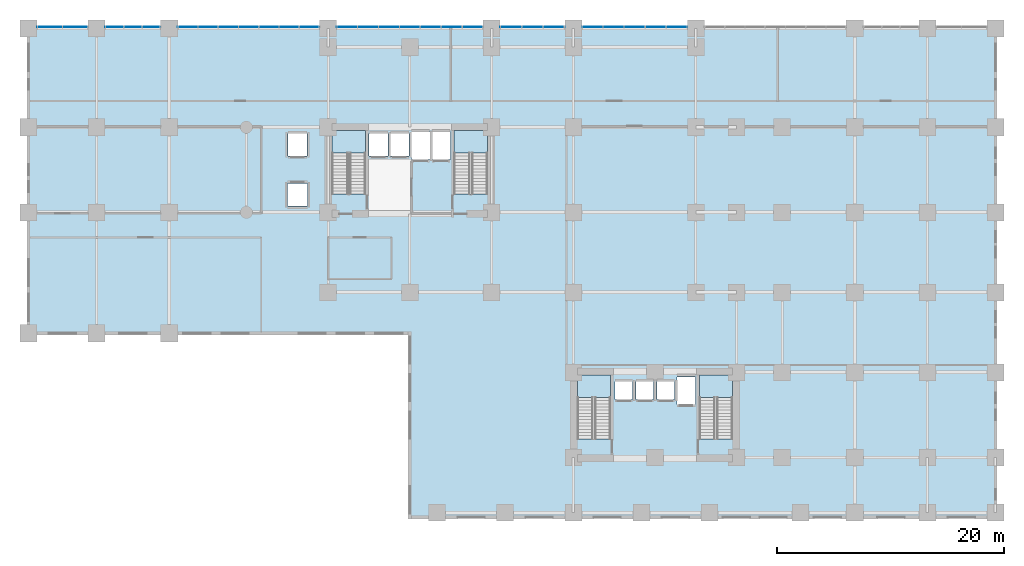
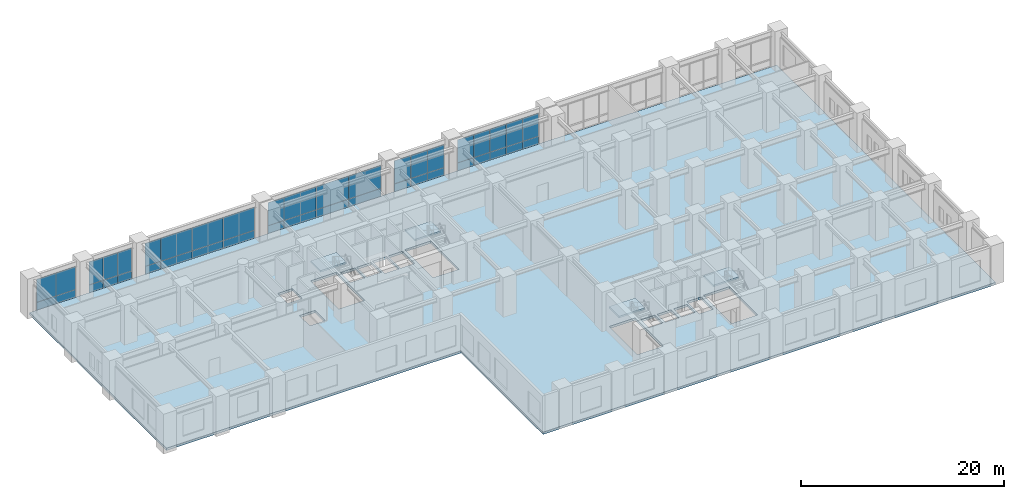
# One storey, part 13 of 22: 42 plates, 5 slabs, 10 elements without a shape of their own.
"""IFC4 building model written with IfcOpenShell, lengths in metres."""

import ifcopenshell
import ifcopenshell.guid

model = None  # the IFC model being written
_history = None  # IfcOwnerHistory: only IFC2X3 demands one
_inside = {}  # id of a spatial element -> (the spatial element, [elements in it])
_under = {}  # id of a project, library or spatial element -> (it, [spatial elements below it])
_declared = {}  # id of a project -> (the project, [libraries it declares])
_typed = {}  # id of a type object -> (the type object, [elements of that type])
_made_of = {}  # id of a material, layer set ... -> (it, [elements and type objects made of it])


def new_model(schema):
    """Start an empty IFC model of exactly this schema.

    Asked for "IFC4X3", IfcOpenShell would pick the latest addendum, in which some entities
    have other attributes; the version numbers below select the first issue.
    IFC2X3 requires an IfcOwnerHistory on every rooted entity: one is made here for all.
    """
    global model, _history
    if schema == "IFC4X3":
        model = ifcopenshell.file(schema_version=(4, 3, 0, 0))
    else:
        model = ifcopenshell.file(schema=schema)
    _inside.clear()
    _under.clear()
    _declared.clear()
    _typed.clear()
    _made_of.clear()
    _history = None
    if model.schema == "IFC2X3":
        org = make("IfcOrganization", Name="unknown")
        user = make(
            "IfcPersonAndOrganization",
            ThePerson=make("IfcPerson", FamilyName="unknown"),
            TheOrganization=org,
        )
        app = make(
            "IfcApplication",
            ApplicationDeveloper=org,
            Version="unknown",
            ApplicationFullName="unknown",
            ApplicationIdentifier="unknown",
        )
        _history = make(
            "IfcOwnerHistory",
            OwningUser=user,
            OwningApplication=app,
            ChangeAction="ADDED",
            CreationDate=0,
        )
    return model


def make(cls, **values):
    """One entity of the class cls with the attributes given. An attribute that is None is left unset."""
    return model.create_entity(
        cls, **{name: value for name, value in values.items() if value is not None}
    )


def rooted(cls, **values):
    """An entity with a GlobalId (a new one), such as an element, a storey or a relation."""
    return make(cls, GlobalId=ifcopenshell.guid.new(), OwnerHistory=_history, **values)


def si_unit(unit_type, name, prefix=None):
    """IfcSIUnit, for example si_unit("LENGTHUNIT", "METRE", prefix="MILLI")."""
    return make("IfcSIUnit", UnitType=unit_type, Prefix=prefix, Name=name)


def assignment(units):
    """IfcUnitAssignment: the units of a project."""
    return None if units is None else make("IfcUnitAssignment", Units=units)


def point(xyz):
    """IfcCartesianPoint."""
    return None if xyz is None else make("IfcCartesianPoint", Coordinates=xyz)


def direction(xyz):
    """IfcDirection."""
    return None if xyz is None else make("IfcDirection", DirectionRatios=xyz)


def frame(location, z_axis=None, x_axis=None):
    """IfcAxis2Placement3D, a coordinate frame: its origin and axes. An axis left out is left unset."""
    return make(
        "IfcAxis2Placement3D",
        Location=point(location),
        Axis=direction(z_axis),
        RefDirection=direction(x_axis),
    )


def frame_2d(location, x_axis=None):
    """IfcAxis2Placement2D, a coordinate frame in the plane: its origin and x axis."""
    return make(
        "IfcAxis2Placement2D", Location=point(location), RefDirection=direction(x_axis)
    )


def origin():
    """The frame at (0, 0, 0) with its axes left unset."""
    return frame((0.0, 0.0, 0.0))


def origin_2d():
    """The frame at (0, 0) in the plane with its x axis left unset."""
    return frame_2d((0.0, 0.0))


def place(relative_to, where):
    """IfcLocalPlacement: puts the frame where relative to a parent placement (None: the world)."""
    return make(
        "IfcLocalPlacement", PlacementRelTo=relative_to, RelativePlacement=where
    )


def context(
    kind, dimensions, precision=None, world=None, true_north=None, identifier=None
):
    """IfcGeometricRepresentationContext, for example the 3D "Model" context."""
    return make(
        "IfcGeometricRepresentationContext",
        ContextIdentifier=identifier,
        ContextType=kind,
        CoordinateSpaceDimension=dimensions,
        Precision=precision,
        WorldCoordinateSystem=world,
        TrueNorth=true_north,
    )


def subcontext(parent, identifier, kind, view, scale=None):
    """IfcGeometricRepresentationSubContext, for example "Body" below "Model"."""
    return make(
        "IfcGeometricRepresentationSubContext",
        ContextIdentifier=identifier,
        ContextType=kind,
        ParentContext=parent,
        TargetScale=scale,
        TargetView=view,
    )


def project(units=None, contexts=None):
    """IfcProject with its units and contexts."""
    return rooted(
        "IfcProject",
        Name="project",
        RepresentationContexts=contexts,
        UnitsInContext=assignment(units),
    )


def spatial(cls, under=None, at=None, **own):
    """A site, building, storey or space (cls), placed at a placement, below another one or the project."""
    s = rooted(cls, ObjectPlacement=at, **own)
    if under is not None:
        _under.setdefault(under.id(), (under, []))[1].append(s)
    return s


def polyline(points):
    """IfcPolyline through the points."""
    return make("IfcPolyline", Points=[point(p) for p in points])


def profile(cls, at=None, kind="AREA", **sizes):
    """A parametric profile (cls). Its sizes go by their IFC names, for example OverallWidth=200.0."""
    return make(cls, ProfileType=kind, Position=at, **sizes)


def rectangle(**sizes):
    """IfcRectangleProfileDef."""
    return profile("IfcRectangleProfileDef", **sizes)


def outline(outer, holes=None, kind="AREA"):
    """IfcArbitraryClosedProfileDef: a profile drawn as a closed curve; with holes, ...WithVoids."""
    if holes is None:
        return make("IfcArbitraryClosedProfileDef", ProfileType=kind, OuterCurve=outer)
    return make(
        "IfcArbitraryProfileDefWithVoids",
        ProfileType=kind,
        OuterCurve=outer,
        InnerCurves=holes,
    )


def extrude(swept, where, along, depth):
    """IfcExtrudedAreaSolid: the profile swept, set in the frame where, extruded along a direction by depth."""
    return make(
        "IfcExtrudedAreaSolid",
        SweptArea=swept,
        Position=where,
        ExtrudedDirection=direction(along),
        Depth=depth,
    )


def shape(context_of_items, identifier, shape_type, items):
    """IfcShapeRepresentation: the items that make up one representation, for example the "Body"."""
    return make(
        "IfcShapeRepresentation",
        ContextOfItems=context_of_items,
        RepresentationIdentifier=identifier,
        RepresentationType=shape_type,
        Items=items,
    )


def source(mapping_origin, context_of_items, identifier, shape_type, items):
    """IfcRepresentationMap: a shape defined once, which mapped items show again and again."""
    return make(
        "IfcRepresentationMap",
        MappingOrigin=mapping_origin,
        MappedRepresentation=shape(context_of_items, identifier, shape_type, items),
    )


def transform(
    local_origin,
    x_axis=None,
    y_axis=None,
    z_axis=None,
    scale=None,
    scale2=None,
    scale3=None,
    uniform=True,
):
    """IfcCartesianTransformationOperator3D, or its non-uniform kind. x_axis, y_axis, z_axis: its Axis1, 2, 3."""
    if uniform:
        return make(
            "IfcCartesianTransformationOperator3D",
            Axis1=direction(x_axis),
            Axis2=direction(y_axis),
            LocalOrigin=point(local_origin),
            Scale=scale,
            Axis3=direction(z_axis),
        )
    return make(
        "IfcCartesianTransformationOperator3DnonUniform",
        Axis1=direction(x_axis),
        Axis2=direction(y_axis),
        LocalOrigin=point(local_origin),
        Scale=scale,
        Axis3=direction(z_axis),
        Scale2=scale2,
        Scale3=scale3,
    )


def mapped(mapping_source, mapping_target):
    """IfcMappedItem: shows the shape of a source again, moved by a transform."""
    return make(
        "IfcMappedItem", MappingSource=mapping_source, MappingTarget=mapping_target
    )


def material(Name=None, Category=None):
    """IfcMaterial."""
    return make("IfcMaterial", Name=Name, Category=Category)


def layer(
    of_material, thickness, ventilated=None, Name=None, Category=None, Priority=None
):
    """IfcMaterialLayer: one layer of a wall or slab, of a material (None: an air gap)."""
    return make(
        "IfcMaterialLayer",
        Material=of_material,
        LayerThickness=thickness,
        IsVentilated=ventilated,
        Name=Name,
        Category=Category,
        Priority=Priority,
    )


def layer_set(layers, Name=None):
    """IfcMaterialLayerSet."""
    return make("IfcMaterialLayerSet", MaterialLayers=layers, LayerSetName=Name)


def made_of(thing, what):
    """Note that an element or type object is made of a material, layer set ...; save() writes the relation."""
    if what is not None:
        _made_of.setdefault(what.id(), (what, []))[1].append(thing)
    return thing


def type_object(cls, material=None, **own):
    """A type object (cls), such as IfcWallType, which elements share."""
    return made_of(rooted(cls, **own), material)


def element(
    cls,
    number,
    at=None,
    inside=None,
    cuts=None,
    type_object=None,
    material=None,
    context=None,
    identifier="Body",
    shape_type=None,
    held_by="IfcProductDefinitionShape",
    body=None,
    shapes=None,
    **own,
):
    """One element of the class cls, such as IfcWall. Its Tag is "e" and its number.

    at: its placement. inside: the storey or other place that contains it. cuts: it is an
    opening in that element (IfcRelVoidsElement). A single representation is given by context,
    identifier, shape_type and body (its items); several are given by shapes. held_by: the class
    of the entity that holds the representations. save() writes the other relations.
    """
    e = rooted(cls, Tag="e%d" % number, ObjectPlacement=at, **own)
    if body is not None:
        shapes = [shape(context, identifier, shape_type, body)]
    if shapes is not None:
        e.Representation = make(held_by, Representations=shapes)
    if inside is not None:
        _inside.setdefault(inside.id(), (inside, []))[1].append(e)
    if cuts is not None:
        rooted(
            "IfcRelVoidsElement", RelatingBuildingElement=cuts, RelatedOpeningElement=e
        )
    if type_object is not None:
        _typed.setdefault(type_object.id(), (type_object, []))[1].append(e)
    return made_of(e, material)


def aggregate(whole, parts):
    """IfcRelAggregates: a whole, such as a stair, and the parts it consists of."""
    return rooted("IfcRelAggregates", RelatingObject=whole, RelatedObjects=parts)


def save(model, path):
    """Write the relations noted so far, then the file.

    IfcRelAggregates (storeys below a building ...), IfcRelContainedInSpatialStructure (elements
    in a storey), IfcRelDefinesByType, IfcRelAssociatesMaterial and IfcRelDeclares: one each for
    every whole, place, type object, material and project.
    """
    for whole, parts in _under.values():
        aggregate(whole, parts)
    for where, things in _inside.values():
        rooted(
            "IfcRelContainedInSpatialStructure",
            RelatedElements=things,
            RelatingStructure=where,
        )
    for kind, things in _typed.values():
        rooted("IfcRelDefinesByType", RelatedObjects=things, RelatingType=kind)
    for what, things in _made_of.values():
        rooted("IfcRelAssociatesMaterial", RelatedObjects=things, RelatingMaterial=what)
    for by, libraries in _declared.values():
        rooted("IfcRelDeclares", RelatingContext=by, RelatedDefinitions=libraries)
    model.write(path)


model = new_model("IFC4")

# Units and contexts
model_context = context("Model", 3, precision=1e-05, world=origin(), true_north=direction((0.0, 1.0)))
body_context = subcontext(model_context, "Body", "Model", "MODEL_VIEW")
ifc_project = project(units=[si_unit("LENGTHUNIT", "METRE"), si_unit("AREAUNIT", "SQUARE_METRE"), si_unit("VOLUMEUNIT", "CUBIC_METRE"), si_unit("PLANEANGLEUNIT", "RADIAN"), si_unit("MASSUNIT", "GRAM", prefix="KILO")], contexts=[model_context])

# Site, building, storey
site_placement = place(None, origin())
site = spatial("IfcSite", under=ifc_project, at=site_placement, CompositionType="ELEMENT")
building_placement = place(site_placement, origin())
building = spatial("IfcBuilding", under=site, at=building_placement, Name="Kaliganga Portal Commons", CompositionType="ELEMENT")
storey_placement = place(building_placement, frame((0.0, 0.0, 5.39990234375)))
storey = spatial("IfcBuildingStorey", under=building, at=storey_placement, Name="L01", CompositionType="ELEMENT", Elevation=5.39990234375)

# Slab
ifc_material_1 = material(Name="Concrete C50/60", Category="concrete")
ifc_layer_1 = layer(ifc_material_1, 0.280029296875)
ifc_layer_set_1 = layer_set([ifc_layer_1], Name="Concrete C50/60")
slab_type_1 = type_object("IfcSlabType", Name="SLB-POD-280", PredefinedType="FLOOR", material=ifc_layer_set_1)
slab_1_placement = place(storey_placement, frame((0.0, 0.0, -0.27978515625)))
element("IfcSlab", 1, at=slab_1_placement, inside=storey, type_object=slab_type_1, Name="Structural Floor Slab L01", PredefinedType="FLOOR", context=body_context, shape_type="SweptSolid", body=[
    extrude(outline(polyline([(21.60009765625, 1.800048828125), (73.199951171875, 1.800048828125), (73.199951171875, 45.0), (-12.0, 45.0), (-12.0, 18.0), (21.60009765625, 18.0), (21.60009765625, 1.800048828125)]), holes=[polyline([(14.75, 30.25390625), (14.75, 35.85009765625), (17.699951171875, 35.85009765625), (17.699951171875, 30.25390625), (14.75, 30.25390625)]), polyline([(25.5, 30.25390625), (25.5, 35.85009765625), (28.449951171875, 35.85009765625), (28.449951171875, 30.25390625), (25.5, 30.25390625)]), polyline([(36.35009765625, 8.7041015625), (36.35009765625, 14.300048828125), (39.300048828125, 14.300048828125), (39.300048828125, 8.7041015625), (36.35009765625, 8.7041015625)]), polyline([(47.10009765625, 8.7041015625), (47.10009765625, 14.300048828125), (50.050048828125, 14.300048828125), (50.050048828125, 8.7041015625), (47.10009765625, 8.7041015625)]), polyline([(18.014892578125, 33.614990234375), (18.014892578125, 35.5849609375), (19.68505859375, 35.5849609375), (19.68505859375, 33.614990234375), (18.014892578125, 33.614990234375)]), polyline([(19.864990234375, 33.614990234375), (19.864990234375, 35.5849609375), (21.534912109375, 35.5849609375), (21.534912109375, 33.614990234375), (19.864990234375, 33.614990234375)]), polyline([(10.81494140625, 29.18994140625), (10.81494140625, 31.2099609375), (12.5849609375, 31.2099609375), (12.5849609375, 29.18994140625), (10.81494140625, 29.18994140625)]), polyline([(10.864990234375, 33.614990234375), (10.864990234375, 35.5849609375), (12.534912109375, 35.5849609375), (12.534912109375, 33.614990234375), (10.864990234375, 33.614990234375)]), polyline([(21.739990234375, 33.2900390625), (21.739990234375, 35.7099609375), (23.360107421875, 35.7099609375), (23.360107421875, 33.2900390625), (21.739990234375, 33.2900390625)]), polyline([(23.5400390625, 33.2900390625), (23.5400390625, 35.7099609375), (25.159912109375, 35.7099609375), (25.159912109375, 33.2900390625), (23.5400390625, 33.2900390625)]), polyline([(39.6650390625, 12.1650390625), (39.6650390625, 13.735107421875), (41.235107421875, 13.735107421875), (41.235107421875, 12.1650390625), (39.6650390625, 12.1650390625)]), polyline([(41.514892578125, 12.1650390625), (41.514892578125, 13.735107421875), (43.0849609375, 13.735107421875), (43.0849609375, 12.1650390625), (41.514892578125, 12.1650390625)]), polyline([(43.364990234375, 12.1650390625), (43.364990234375, 13.735107421875), (44.93505859375, 13.735107421875), (44.93505859375, 12.1650390625), (43.364990234375, 12.1650390625)]), polyline([(45.139892578125, 11.739990234375), (45.139892578125, 14.159912109375), (46.760009765625, 14.159912109375), (46.760009765625, 11.739990234375), (45.139892578125, 11.739990234375)])]), origin(), (0.0, 0.0, 1.0), 0.27978515625),
])

# Stair, slab
ifc_material_2 = material(Name="Concrete C40/50", Category="concrete")
stair_type = type_object("IfcStairType", Name="ST-CORE-DOGLEG", PredefinedType="HALF_TURN_STAIR", material=ifc_material_2)
stair_1_placement = place(storey_placement, origin())
stair_1 = element("IfcStair", 2, at=stair_1_placement, inside=storey, type_object=stair_type, Name="L01 Protected Exit Stair ST-A1", PredefinedType="HALF_TURN_STAIR")
ifc_layer_2 = layer(ifc_material_2, 0.199951171875)
ifc_layer_set_2 = layer_set([ifc_layer_2], Name="Concrete C40/50")
slab_type_2 = type_object("IfcSlabType", Name="SLB-STAIR-LND", PredefinedType="LANDING", material=ifc_layer_set_2)
slab_2_placement = place(storey_placement, frame((0.0, 0.0, 2.2001953125)))
slab_2 = element("IfcSlab", 3, at=slab_2_placement, type_object=slab_type_2, Name="ST-A1 landing 1", PredefinedType="LANDING", context=body_context, shape_type="SweptSolid", body=[
    extrude(outline(polyline([(17.699951171875, 33.889892578125), (17.699951171875, 35.85009765625), (14.75, 35.85009765625), (14.75, 33.889892578125), (17.699951171875, 33.889892578125)])), origin(), (0.0, 0.0, 1.0), 0.199951171875),
])
aggregate(stair_1, [slab_2])

stair_2_placement = place(storey_placement, origin())
stair_2 = element("IfcStair", 4, at=stair_2_placement, inside=storey, type_object=stair_type, Name="L01 Protected Exit Stair ST-A2", PredefinedType="HALF_TURN_STAIR")
slab_3_placement = place(storey_placement, frame((0.0, 0.0, 2.2001953125)))
slab_3 = element("IfcSlab", 5, at=slab_3_placement, type_object=slab_type_2, Name="ST-A2 landing 1", PredefinedType="LANDING", context=body_context, shape_type="SweptSolid", body=[
    extrude(outline(polyline([(28.449951171875, 33.889892578125), (28.449951171875, 35.85009765625), (25.5, 35.85009765625), (25.5, 33.889892578125), (28.449951171875, 33.889892578125)])), origin(), (0.0, 0.0, 1.0), 0.199951171875),
])
aggregate(stair_2, [slab_3])

stair_3_placement = place(storey_placement, origin())
stair_3 = element("IfcStair", 6, at=stair_3_placement, inside=storey, type_object=stair_type, Name="L01 Protected Exit Stair ST-B1", PredefinedType="HALF_TURN_STAIR")
slab_4_placement = place(storey_placement, frame((0.0, 0.0, 2.2001953125)))
slab_4 = element("IfcSlab", 7, at=slab_4_placement, type_object=slab_type_2, Name="ST-B1 landing 1", PredefinedType="LANDING", context=body_context, shape_type="SweptSolid", body=[
    extrude(outline(polyline([(39.300048828125, 12.340087890625), (39.300048828125, 14.300048828125), (36.35009765625, 14.300048828125), (36.35009765625, 12.340087890625), (39.300048828125, 12.340087890625)])), origin(), (0.0, 0.0, 1.0), 0.199951171875),
])
aggregate(stair_3, [slab_4])

stair_4_placement = place(storey_placement, origin())
stair_4 = element("IfcStair", 8, at=stair_4_placement, inside=storey, type_object=stair_type, Name="L01 Protected Exit Stair ST-B2", PredefinedType="HALF_TURN_STAIR")
slab_5_placement = place(storey_placement, frame((0.0, 0.0, 2.2001953125)))
slab_5 = element("IfcSlab", 9, at=slab_5_placement, type_object=slab_type_2, Name="ST-B2 landing 1", PredefinedType="LANDING", context=body_context, shape_type="SweptSolid", body=[
    extrude(outline(polyline([(50.050048828125, 12.340087890625), (50.050048828125, 14.300048828125), (47.10009765625, 14.300048828125), (47.10009765625, 12.340087890625), (50.050048828125, 12.340087890625)])), origin(), (0.0, 0.0, 1.0), 0.199951171875),
])
aggregate(stair_4, [slab_5])

# Curtain wall, plates
ifc_material_3 = material(Name="Anodized Aluminium and Laminated Low-E Glass", Category="aluminium")
ifc_layer_3 = layer(ifc_material_3, 0.219970703125)
ifc_layer_set_3 = layer_set([ifc_layer_3], Name="Anodized Aluminium and Laminated Low-E Glass")
curtain_wall_type = type_object("IfcCurtainWallType", Name="CW-SYS-01", PredefinedType="NOTDEFINED", material=ifc_layer_set_3)
curtain_wall_1_placement = place(storey_placement, origin())
curtain_wall_1 = element("IfcCurtainWall", 10, at=curtain_wall_1_placement, inside=storey, type_object=curtain_wall_type, Name="CW 01 L01 P1E02S9", PredefinedType="NOTDEFINED")
ifc_material_4 = material(Name="Insulated Dark Spandrel Panel", Category="metal")
ifc_layer_4 = layer(ifc_material_4, 0.044921875)
ifc_layer_set_4 = layer_set([ifc_layer_4], Name="Insulated Dark Spandrel Panel")
plate_type_1 = type_object("IfcPlateType", Name="PLT-SPN-45", PredefinedType="SHEET", material=ifc_layer_set_4)
shared_shape_1 = source(origin(), body_context, "Body", "SweptSolid", [
    extrude(rectangle(XDim=2.208984375, YDim=0.044921875, at=origin_2d()), origin(), (0.0, 0.0, 1.0), 0.929931640625),
])
plate_1_placement = place(storey_placement, frame((-7.87548828125, 45.0, 0.01025390625), z_axis=(0.0, 0.0, 1.0), x_axis=(-1.0, 0.0, 0.0)))
plate_1 = element("IfcPlate", 11, at=plate_1_placement, type_object=plate_type_1, Name="CW:01:L01:P1E02S9 Spandrel 00", PredefinedType="SHEET", context=body_context, shape_type="MappedRepresentation", body=[
    mapped(shared_shape_1, transform((0.0, 0.0, 0.0), x_axis=(1.0, 0.0, 0.0), y_axis=(0.0, 1.0, 0.0), z_axis=(0.0, 0.0, 1.0), scale=1.0)),
])
plate_2_placement = place(storey_placement, frame((-10.12451171875, 45.0, 0.01025390625), z_axis=(0.0, 0.0, 1.0), x_axis=(-1.0, 0.0, 0.0)))
plate_2 = element("IfcPlate", 12, at=plate_2_placement, type_object=plate_type_1, Name="CW:01:L01:P1E02S9 Spandrel 01", PredefinedType="SHEET", context=body_context, shape_type="MappedRepresentation", body=[
    mapped(shared_shape_1, transform((0.0, 0.0, 0.0), x_axis=(1.0, 0.0, 0.0), y_axis=(0.0, 1.0, 0.0), z_axis=(0.0, 0.0, 1.0), scale=1.0)),
])

curtain_wall_2_placement = place(storey_placement, origin())
curtain_wall_2 = element("IfcCurtainWall", 13, at=curtain_wall_2_placement, inside=storey, type_object=curtain_wall_type, Name="CW 01 L01 P1E02S8", PredefinedType="NOTDEFINED")
shared_shape_2 = source(origin(), body_context, "Body", "SweptSolid", [
    extrude(rectangle(XDim=1.5927734375, YDim=0.044921875, at=origin_2d()), origin(), (0.0, 0.0, 1.0), 0.929931640625),
])
plate_3_placement = place(storey_placement, frame((-1.167236328125, 45.0, 0.01025390625), z_axis=(0.0, 0.0, 1.0), x_axis=(-1.0, 0.0, 0.0)))
plate_3 = element("IfcPlate", 14, at=plate_3_placement, type_object=plate_type_1, Name="CW:01:L01:P1E02S8 Spandrel 00", PredefinedType="SHEET", context=body_context, shape_type="MappedRepresentation", body=[
    mapped(shared_shape_2, transform((0.0, 0.0, 0.0), x_axis=(1.0, 0.0, 0.0), y_axis=(0.0, 1.0, 0.0), z_axis=(0.0, 0.0, 1.0), scale=1.0)),
])
plate_4_placement = place(storey_placement, frame((-2.800048828125, 45.0, 0.01025390625), z_axis=(0.0, 0.0, 1.0), x_axis=(-1.0, 0.0, 0.0)))
plate_4 = element("IfcPlate", 15, at=plate_4_placement, type_object=plate_type_1, Name="CW:01:L01:P1E02S8 Spandrel 01", PredefinedType="SHEET", context=body_context, shape_type="MappedRepresentation", body=[
    mapped(shared_shape_2, transform((0.0, 0.0, 0.0), x_axis=(1.0, 0.0, 0.0), y_axis=(0.0, 1.0, 0.0), z_axis=(0.0, 0.0, 1.0), scale=1.0)),
])
plate_5_placement = place(storey_placement, frame((-4.4326171875, 45.0, 0.01025390625), z_axis=(0.0, 0.0, 1.0), x_axis=(-1.0, 0.0, 0.0)))
plate_5 = element("IfcPlate", 16, at=plate_5_placement, type_object=plate_type_1, Name="CW:01:L01:P1E02S8 Spandrel 02", PredefinedType="SHEET", context=body_context, shape_type="MappedRepresentation", body=[
    mapped(shared_shape_2, transform((0.0, 0.0, 0.0), x_axis=(1.0, 0.0, 0.0), y_axis=(0.0, 1.0, 0.0), z_axis=(0.0, 0.0, 1.0), scale=1.0)),
])

curtain_wall_3_placement = place(storey_placement, origin())
curtain_wall_3 = element("IfcCurtainWall", 17, at=curtain_wall_3_placement, inside=storey, type_object=curtain_wall_type, Name="CW 01 L01 P1E02S7", PredefinedType="NOTDEFINED")
shared_shape_3 = source(origin(), body_context, "Body", "SweptSolid", [
    extrude(rectangle(XDim=3.531005859375, YDim=0.044921875, at=origin_2d()), origin(), (0.0, 0.0, 1.0), 0.929931640625),
])
plate_6_placement = place(storey_placement, frame((11.863525390625, 45.0, 0.01025390625), z_axis=(0.0, 0.0, 1.0), x_axis=(-1.0, 0.0, 0.0)))
plate_6 = element("IfcPlate", 18, at=plate_6_placement, type_object=plate_type_1, Name="CW:01:L01:P1E02S7 Spandrel 00", PredefinedType="SHEET", context=body_context, shape_type="MappedRepresentation", body=[
    mapped(shared_shape_3, transform((0.0, 0.0, 0.0), x_axis=(1.0, 0.0, 0.0), y_axis=(0.0, 1.0, 0.0), z_axis=(0.0, 0.0, 1.0), scale=1.0)),
])
plate_7_placement = place(storey_placement, frame((8.292724609375, 45.0, 0.01025390625), z_axis=(0.0, 0.0, 1.0), x_axis=(-1.0, 0.0, 0.0)))
plate_7 = element("IfcPlate", 19, at=plate_7_placement, type_object=plate_type_1, Name="CW:01:L01:P1E02S7 Spandrel 02", PredefinedType="SHEET", context=body_context, shape_type="MappedRepresentation", body=[
    mapped(shared_shape_3, transform((0.0, 0.0, 0.0), x_axis=(1.0, 0.0, 0.0), y_axis=(0.0, 1.0, 0.0), z_axis=(0.0, 0.0, 1.0), scale=1.0)),
])
plate_8_placement = place(storey_placement, frame((4.721923828125, 45.0, 0.01025390625), z_axis=(0.0, 0.0, 1.0), x_axis=(-1.0, 0.0, 0.0)))
plate_8 = element("IfcPlate", 20, at=plate_8_placement, type_object=plate_type_1, Name="CW:01:L01:P1E02S7 Spandrel 04", PredefinedType="SHEET", context=body_context, shape_type="MappedRepresentation", body=[
    mapped(shared_shape_3, transform((0.0, 0.0, 0.0), x_axis=(1.0, 0.0, 0.0), y_axis=(0.0, 1.0, 0.0), z_axis=(0.0, 0.0, 1.0), scale=1.0)),
])
shared_shape_4 = source(origin(), body_context, "Body", "SweptSolid", [
    extrude(rectangle(XDim=1.745361328125, YDim=0.044921875, at=origin_2d()), origin(), (0.0, 0.0, 1.0), 0.929931640625),
])
plate_9_placement = place(storey_placement, frame((2.043701171875, 45.0, 0.01025390625), z_axis=(0.0, 0.0, 1.0), x_axis=(-1.0, 0.0, 0.0)))
plate_9 = element("IfcPlate", 21, at=plate_9_placement, type_object=plate_type_1, Name="CW:01:L01:P1E02S7 Spandrel 06", PredefinedType="SHEET", context=body_context, shape_type="MappedRepresentation", body=[
    mapped(shared_shape_4, transform((0.0, 0.0, 0.0), x_axis=(1.0, 0.0, 0.0), y_axis=(0.0, 1.0, 0.0), z_axis=(0.0, 0.0, 1.0), scale=1.0)),
])

curtain_wall_4_placement = place(storey_placement, origin())
curtain_wall_4 = element("IfcCurtainWall", 22, at=curtain_wall_4_placement, inside=storey, type_object=curtain_wall_type, Name="CW 01 L01 P1E02S4", PredefinedType="NOTDEFINED")
shared_shape_5 = source(origin(), body_context, "Body", "SweptSolid", [
    extrude(rectangle(XDim=1.819580078125, YDim=0.044921875, at=origin_2d()), origin(), (0.0, 0.0, 1.0), 0.929931640625),
])
plate_10_placement = place(storey_placement, frame((45.119140625, 45.0, 0.01025390625), z_axis=(0.0, 0.0, 1.0), x_axis=(-1.0, 0.0, 0.0)))
plate_10 = element("IfcPlate", 23, at=plate_10_placement, type_object=plate_type_1, Name="CW:01:L01:P1E02S4 Spandrel 00", PredefinedType="SHEET", context=body_context, shape_type="MappedRepresentation", body=[
    mapped(shared_shape_5, transform((0.0, 0.0, 0.0), x_axis=(1.0, 0.0, 0.0), y_axis=(0.0, 1.0, 0.0), z_axis=(0.0, 0.0, 1.0), scale=1.0)),
])
plate_11_placement = place(storey_placement, frame((43.259521484375, 45.0, 0.01025390625), z_axis=(0.0, 0.0, 1.0), x_axis=(-1.0, 0.0, 0.0)))
plate_11 = element("IfcPlate", 24, at=plate_11_placement, type_object=plate_type_1, Name="CW:01:L01:P1E02S4 Spandrel 01", PredefinedType="SHEET", context=body_context, shape_type="MappedRepresentation", body=[
    mapped(shared_shape_5, transform((0.0, 0.0, 0.0), x_axis=(1.0, 0.0, 0.0), y_axis=(0.0, 1.0, 0.0), z_axis=(0.0, 0.0, 1.0), scale=1.0)),
])
plate_12_placement = place(storey_placement, frame((41.39990234375, 45.0, 0.01025390625), z_axis=(0.0, 0.0, 1.0), x_axis=(-1.0, 0.0, 0.0)))
plate_12 = element("IfcPlate", 25, at=plate_12_placement, type_object=plate_type_1, Name="CW:01:L01:P1E02S4 Spandrel 02", PredefinedType="SHEET", context=body_context, shape_type="MappedRepresentation", body=[
    mapped(shared_shape_5, transform((0.0, 0.0, 0.0), x_axis=(1.0, 0.0, 0.0), y_axis=(0.0, 1.0, 0.0), z_axis=(0.0, 0.0, 1.0), scale=1.0)),
])
plate_13_placement = place(storey_placement, frame((39.540283203125, 45.0, 0.01025390625), z_axis=(0.0, 0.0, 1.0), x_axis=(-1.0, 0.0, 0.0)))
plate_13 = element("IfcPlate", 26, at=plate_13_placement, type_object=plate_type_1, Name="CW:01:L01:P1E02S4 Spandrel 03", PredefinedType="SHEET", context=body_context, shape_type="MappedRepresentation", body=[
    mapped(shared_shape_5, transform((0.0, 0.0, 0.0), x_axis=(1.0, 0.0, 0.0), y_axis=(0.0, 1.0, 0.0), z_axis=(0.0, 0.0, 1.0), scale=1.0)),
])
plate_14_placement = place(storey_placement, frame((37.680908203125, 45.0, 0.01025390625), z_axis=(0.0, 0.0, 1.0), x_axis=(-1.0, 0.0, 0.0)))
plate_14 = element("IfcPlate", 27, at=plate_14_placement, type_object=plate_type_1, Name="CW:01:L01:P1E02S4 Spandrel 04", PredefinedType="SHEET", context=body_context, shape_type="MappedRepresentation", body=[
    mapped(shared_shape_5, transform((0.0, 0.0, 0.0), x_axis=(1.0, 0.0, 0.0), y_axis=(0.0, 1.0, 0.0), z_axis=(0.0, 0.0, 1.0), scale=1.0)),
])

curtain_wall_5_placement = place(storey_placement, origin())
curtain_wall_5 = element("IfcCurtainWall", 28, at=curtain_wall_5_placement, inside=storey, type_object=curtain_wall_type, Name="CW 01 L01 P1E02S5", PredefinedType="NOTDEFINED")
shared_shape_6 = source(origin(), body_context, "Body", "SweptSolid", [
    extrude(rectangle(XDim=1.859375, YDim=0.044921875, at=origin_2d()), origin(), (0.0, 0.0, 1.0), 0.929931640625),
])
plate_15_placement = place(storey_placement, frame((34.29931640625, 45.0, 0.01025390625), z_axis=(0.0, 0.0, 1.0), x_axis=(-1.0, 0.0, 0.0)))
plate_15 = element("IfcPlate", 29, at=plate_15_placement, type_object=plate_type_1, Name="CW:01:L01:P1E02S5 Spandrel 00", PredefinedType="SHEET", context=body_context, shape_type="MappedRepresentation", body=[
    mapped(shared_shape_6, transform((0.0, 0.0, 0.0), x_axis=(1.0, 0.0, 0.0), y_axis=(0.0, 1.0, 0.0), z_axis=(0.0, 0.0, 1.0), scale=1.0)),
])
plate_16_placement = place(storey_placement, frame((32.39990234375, 45.0, 0.01025390625), z_axis=(0.0, 0.0, 1.0), x_axis=(-1.0, 0.0, 0.0)))
plate_16 = element("IfcPlate", 30, at=plate_16_placement, type_object=plate_type_1, Name="CW:01:L01:P1E02S5 Spandrel 01", PredefinedType="SHEET", context=body_context, shape_type="MappedRepresentation", body=[
    mapped(shared_shape_6, transform((0.0, 0.0, 0.0), x_axis=(1.0, 0.0, 0.0), y_axis=(0.0, 1.0, 0.0), z_axis=(0.0, 0.0, 1.0), scale=1.0)),
])
plate_17_placement = place(storey_placement, frame((30.500732421875, 45.0, 0.01025390625), z_axis=(0.0, 0.0, 1.0), x_axis=(-1.0, 0.0, 0.0)))
plate_17 = element("IfcPlate", 31, at=plate_17_placement, type_object=plate_type_1, Name="CW:01:L01:P1E02S5 Spandrel 02", PredefinedType="SHEET", context=body_context, shape_type="MappedRepresentation", body=[
    mapped(shared_shape_6, transform((0.0, 0.0, 0.0), x_axis=(1.0, 0.0, 0.0), y_axis=(0.0, 1.0, 0.0), z_axis=(0.0, 0.0, 1.0), scale=1.0)),
])

curtain_wall_6_placement = place(storey_placement, origin())
curtain_wall_6 = element("IfcCurtainWall", 32, at=curtain_wall_6_placement, inside=storey, type_object=curtain_wall_type, Name="CW 01 L01 P1E02S6", PredefinedType="NOTDEFINED")
shared_shape_7 = source(origin(), body_context, "Body", "SweptSolid", [
    extrude(rectangle(XDim=3.64501953125, YDim=0.044921875, at=origin_2d()), origin(), (0.0, 0.0, 1.0), 0.929931640625),
])
plate_18_placement = place(storey_placement, frame((26.206298828125, 45.0, 0.01025390625), z_axis=(0.0, 0.0, 1.0), x_axis=(-1.0, 0.0, 0.0)))
plate_18 = element("IfcPlate", 33, at=plate_18_placement, type_object=plate_type_1, Name="CW:01:L01:P1E02S6 Spandrel 00", PredefinedType="SHEET", context=body_context, shape_type="MappedRepresentation", body=[
    mapped(shared_shape_7, transform((0.0, 0.0, 0.0), x_axis=(1.0, 0.0, 0.0), y_axis=(0.0, 1.0, 0.0), z_axis=(0.0, 0.0, 1.0), scale=1.0)),
])
plate_19_placement = place(storey_placement, frame((22.521240234375, 45.0, 0.01025390625), z_axis=(0.0, 0.0, 1.0), x_axis=(-1.0, 0.0, 0.0)))
plate_19 = element("IfcPlate", 34, at=plate_19_placement, type_object=plate_type_1, Name="CW:01:L01:P1E02S6 Spandrel 02", PredefinedType="SHEET", context=body_context, shape_type="MappedRepresentation", body=[
    mapped(shared_shape_7, transform((0.0, 0.0, 0.0), x_axis=(1.0, 0.0, 0.0), y_axis=(0.0, 1.0, 0.0), z_axis=(0.0, 0.0, 1.0), scale=1.0)),
])
plate_20_placement = place(storey_placement, frame((18.836181640625, 45.0, 0.01025390625), z_axis=(0.0, 0.0, 1.0), x_axis=(-1.0, 0.0, 0.0)))
plate_20 = element("IfcPlate", 35, at=plate_20_placement, type_object=plate_type_1, Name="CW:01:L01:P1E02S6 Spandrel 04", PredefinedType="SHEET", context=body_context, shape_type="MappedRepresentation", body=[
    mapped(shared_shape_7, transform((0.0, 0.0, 0.0), x_axis=(1.0, 0.0, 0.0), y_axis=(0.0, 1.0, 0.0), z_axis=(0.0, 0.0, 1.0), scale=1.0)),
])
shared_shape_8 = source(origin(), body_context, "Body", "SweptSolid", [
    extrude(rectangle(XDim=1.802490234375, YDim=0.044921875, at=origin_2d()), origin(), (0.0, 0.0, 1.0), 0.929931640625),
])
plate_21_placement = place(storey_placement, frame((16.072265625, 45.0, 0.01025390625), z_axis=(0.0, 0.0, 1.0), x_axis=(-1.0, 0.0, 0.0)))
plate_21 = element("IfcPlate", 36, at=plate_21_placement, type_object=plate_type_1, Name="CW:01:L01:P1E02S6 Spandrel 06", PredefinedType="SHEET", context=body_context, shape_type="MappedRepresentation", body=[
    mapped(shared_shape_8, transform((0.0, 0.0, 0.0), x_axis=(1.0, 0.0, 0.0), y_axis=(0.0, 1.0, 0.0), z_axis=(0.0, 0.0, 1.0), scale=1.0)),
])

# Plate
ifc_material_5 = material(Name="Dark Solar-Control Laminated Low-E IGU", Category="glass")
ifc_layer_5 = layer(ifc_material_5, 0.028076171875)
ifc_layer_set_5 = layer_set([ifc_layer_5], Name="Dark Solar-Control Laminated Low-E IGU")
plate_type_2 = type_object("IfcPlateType", Name="PLT-GLZ-28", PredefinedType="CURTAIN_PANEL", material=ifc_layer_set_5)
shared_shape_9 = source(origin(), body_context, "Body", "SweptSolid", [
    extrude(rectangle(XDim=2.208984375, YDim=0.028076171875, at=origin_2d()), origin(), (0.0, 0.0, 1.0), 2.77001953125),
])
plate_22_placement = place(storey_placement, frame((-7.87548828125, 45.0, 0.960205078125), z_axis=(0.0, 0.0, 1.0), x_axis=(-1.0, 0.0, 0.0)))
plate_22 = element("IfcPlate", 37, at=plate_22_placement, type_object=plate_type_2, Name="CW:01:L01:P1E02S9 Vision IGU 00", PredefinedType="CURTAIN_PANEL", context=body_context, shape_type="MappedRepresentation", body=[
    mapped(shared_shape_9, transform((0.0, 0.0, 0.0), x_axis=(1.0, 0.0, 0.0), y_axis=(0.0, 1.0, 0.0), z_axis=(0.0, 0.0, 1.0), scale=1.0)),
])

plate_23_placement = place(storey_placement, frame((-10.12451171875, 45.0, 0.960205078125), z_axis=(0.0, 0.0, 1.0), x_axis=(-1.0, 0.0, 0.0)))
plate_23 = element("IfcPlate", 38, at=plate_23_placement, type_object=plate_type_2, Name="CW:01:L01:P1E02S9 Vision IGU 01", PredefinedType="CURTAIN_PANEL", context=body_context, shape_type="MappedRepresentation", body=[
    mapped(shared_shape_9, transform((0.0, 0.0, 0.0), x_axis=(1.0, 0.0, 0.0), y_axis=(0.0, 1.0, 0.0), z_axis=(0.0, 0.0, 1.0), scale=1.0)),
])

aggregate(curtain_wall_1, [plate_1, plate_22, plate_2, plate_23])

shared_shape_10 = source(origin(), body_context, "Body", "SweptSolid", [
    extrude(rectangle(XDim=1.5927734375, YDim=0.028076171875, at=origin_2d()), origin(), (0.0, 0.0, 1.0), 2.77001953125),
])
plate_24_placement = place(storey_placement, frame((-1.167236328125, 45.0, 0.960205078125), z_axis=(0.0, 0.0, 1.0), x_axis=(-1.0, 0.0, 0.0)))
plate_24 = element("IfcPlate", 39, at=plate_24_placement, type_object=plate_type_2, Name="CW:01:L01:P1E02S8 Vision IGU 00", PredefinedType="CURTAIN_PANEL", context=body_context, shape_type="MappedRepresentation", body=[
    mapped(shared_shape_10, transform((0.0, 0.0, 0.0), x_axis=(1.0, 0.0, 0.0), y_axis=(0.0, 1.0, 0.0), z_axis=(0.0, 0.0, 1.0), scale=1.0)),
])

plate_25_placement = place(storey_placement, frame((-2.800048828125, 45.0, 0.960205078125), z_axis=(0.0, 0.0, 1.0), x_axis=(-1.0, 0.0, 0.0)))
plate_25 = element("IfcPlate", 40, at=plate_25_placement, type_object=plate_type_2, Name="CW:01:L01:P1E02S8 Vision IGU 01", PredefinedType="CURTAIN_PANEL", context=body_context, shape_type="MappedRepresentation", body=[
    mapped(shared_shape_10, transform((0.0, 0.0, 0.0), x_axis=(1.0, 0.0, 0.0), y_axis=(0.0, 1.0, 0.0), z_axis=(0.0, 0.0, 1.0), scale=1.0)),
])

plate_26_placement = place(storey_placement, frame((-4.4326171875, 45.0, 0.960205078125), z_axis=(0.0, 0.0, 1.0), x_axis=(-1.0, 0.0, 0.0)))
plate_26 = element("IfcPlate", 41, at=plate_26_placement, type_object=plate_type_2, Name="CW:01:L01:P1E02S8 Vision IGU 02", PredefinedType="CURTAIN_PANEL", context=body_context, shape_type="MappedRepresentation", body=[
    mapped(shared_shape_10, transform((0.0, 0.0, 0.0), x_axis=(1.0, 0.0, 0.0), y_axis=(0.0, 1.0, 0.0), z_axis=(0.0, 0.0, 1.0), scale=1.0)),
])

aggregate(curtain_wall_2, [plate_3, plate_24, plate_4, plate_25, plate_5, plate_26])

shared_shape_11 = source(origin(), body_context, "Body", "SweptSolid", [
    extrude(rectangle(XDim=3.531005859375, YDim=0.028076171875, at=origin_2d()), origin(), (0.0, 0.0, 1.0), 2.77001953125),
])
plate_27_placement = place(storey_placement, frame((11.863525390625, 45.0, 0.960205078125), z_axis=(0.0, 0.0, 1.0), x_axis=(-1.0, 0.0, 0.0)))
plate_27 = element("IfcPlate", 42, at=plate_27_placement, type_object=plate_type_2, Name="CW:01:L01:P1E02S7 Vision IGU 00", PredefinedType="CURTAIN_PANEL", context=body_context, shape_type="MappedRepresentation", body=[
    mapped(shared_shape_11, transform((0.0, 0.0, 0.0), x_axis=(1.0, 0.0, 0.0), y_axis=(0.0, 1.0, 0.0), z_axis=(0.0, 0.0, 1.0), scale=1.0)),
])

plate_28_placement = place(storey_placement, frame((8.292724609375, 45.0, 0.960205078125), z_axis=(0.0, 0.0, 1.0), x_axis=(-1.0, 0.0, 0.0)))
plate_28 = element("IfcPlate", 43, at=plate_28_placement, type_object=plate_type_2, Name="CW:01:L01:P1E02S7 Vision IGU 02", PredefinedType="CURTAIN_PANEL", context=body_context, shape_type="MappedRepresentation", body=[
    mapped(shared_shape_11, transform((0.0, 0.0, 0.0), x_axis=(1.0, 0.0, 0.0), y_axis=(0.0, 1.0, 0.0), z_axis=(0.0, 0.0, 1.0), scale=1.0)),
])

plate_29_placement = place(storey_placement, frame((4.721923828125, 45.0, 0.960205078125), z_axis=(0.0, 0.0, 1.0), x_axis=(-1.0, 0.0, 0.0)))
plate_29 = element("IfcPlate", 44, at=plate_29_placement, type_object=plate_type_2, Name="CW:01:L01:P1E02S7 Vision IGU 04", PredefinedType="CURTAIN_PANEL", context=body_context, shape_type="MappedRepresentation", body=[
    mapped(shared_shape_11, transform((0.0, 0.0, 0.0), x_axis=(1.0, 0.0, 0.0), y_axis=(0.0, 1.0, 0.0), z_axis=(0.0, 0.0, 1.0), scale=1.0)),
])

shared_shape_12 = source(origin(), body_context, "Body", "SweptSolid", [
    extrude(rectangle(XDim=1.745361328125, YDim=0.028076171875, at=origin_2d()), origin(), (0.0, 0.0, 1.0), 2.77001953125),
])
plate_30_placement = place(storey_placement, frame((2.043701171875, 45.0, 0.960205078125), z_axis=(0.0, 0.0, 1.0), x_axis=(-1.0, 0.0, 0.0)))
plate_30 = element("IfcPlate", 45, at=plate_30_placement, type_object=plate_type_2, Name="CW:01:L01:P1E02S7 Vision IGU 06", PredefinedType="CURTAIN_PANEL", context=body_context, shape_type="MappedRepresentation", body=[
    mapped(shared_shape_12, transform((0.0, 0.0, 0.0), x_axis=(1.0, 0.0, 0.0), y_axis=(0.0, 1.0, 0.0), z_axis=(0.0, 0.0, 1.0), scale=1.0)),
])

aggregate(curtain_wall_3, [plate_6, plate_27, plate_7, plate_28, plate_8, plate_29, plate_9, plate_30])

shared_shape_13 = source(origin(), body_context, "Body", "SweptSolid", [
    extrude(rectangle(XDim=1.819580078125, YDim=0.028076171875, at=origin_2d()), origin(), (0.0, 0.0, 1.0), 2.77001953125),
])
plate_31_placement = place(storey_placement, frame((45.119140625, 45.0, 0.960205078125), z_axis=(0.0, 0.0, 1.0), x_axis=(-1.0, 0.0, 0.0)))
plate_31 = element("IfcPlate", 46, at=plate_31_placement, type_object=plate_type_2, Name="CW:01:L01:P1E02S4 Vision IGU 00", PredefinedType="CURTAIN_PANEL", context=body_context, shape_type="MappedRepresentation", body=[
    mapped(shared_shape_13, transform((0.0, 0.0, 0.0), x_axis=(1.0, 0.0, 0.0), y_axis=(0.0, 1.0, 0.0), z_axis=(0.0, 0.0, 1.0), scale=1.0)),
])

plate_32_placement = place(storey_placement, frame((43.259521484375, 45.0, 0.960205078125), z_axis=(0.0, 0.0, 1.0), x_axis=(-1.0, 0.0, 0.0)))
plate_32 = element("IfcPlate", 47, at=plate_32_placement, type_object=plate_type_2, Name="CW:01:L01:P1E02S4 Vision IGU 01", PredefinedType="CURTAIN_PANEL", context=body_context, shape_type="MappedRepresentation", body=[
    mapped(shared_shape_13, transform((0.0, 0.0, 0.0), x_axis=(1.0, 0.0, 0.0), y_axis=(0.0, 1.0, 0.0), z_axis=(0.0, 0.0, 1.0), scale=1.0)),
])

plate_33_placement = place(storey_placement, frame((41.39990234375, 45.0, 0.960205078125), z_axis=(0.0, 0.0, 1.0), x_axis=(-1.0, 0.0, 0.0)))
plate_33 = element("IfcPlate", 48, at=plate_33_placement, type_object=plate_type_2, Name="CW:01:L01:P1E02S4 Vision IGU 02", PredefinedType="CURTAIN_PANEL", context=body_context, shape_type="MappedRepresentation", body=[
    mapped(shared_shape_13, transform((0.0, 0.0, 0.0), x_axis=(1.0, 0.0, 0.0), y_axis=(0.0, 1.0, 0.0), z_axis=(0.0, 0.0, 1.0), scale=1.0)),
])

plate_34_placement = place(storey_placement, frame((39.540283203125, 45.0, 0.960205078125), z_axis=(0.0, 0.0, 1.0), x_axis=(-1.0, 0.0, 0.0)))
plate_34 = element("IfcPlate", 49, at=plate_34_placement, type_object=plate_type_2, Name="CW:01:L01:P1E02S4 Vision IGU 03", PredefinedType="CURTAIN_PANEL", context=body_context, shape_type="MappedRepresentation", body=[
    mapped(shared_shape_13, transform((0.0, 0.0, 0.0), x_axis=(1.0, 0.0, 0.0), y_axis=(0.0, 1.0, 0.0), z_axis=(0.0, 0.0, 1.0), scale=1.0)),
])

plate_35_placement = place(storey_placement, frame((37.680908203125, 45.0, 0.960205078125), z_axis=(0.0, 0.0, 1.0), x_axis=(-1.0, 0.0, 0.0)))
plate_35 = element("IfcPlate", 50, at=plate_35_placement, type_object=plate_type_2, Name="CW:01:L01:P1E02S4 Vision IGU 04", PredefinedType="CURTAIN_PANEL", context=body_context, shape_type="MappedRepresentation", body=[
    mapped(shared_shape_13, transform((0.0, 0.0, 0.0), x_axis=(1.0, 0.0, 0.0), y_axis=(0.0, 1.0, 0.0), z_axis=(0.0, 0.0, 1.0), scale=1.0)),
])

aggregate(curtain_wall_4, [plate_10, plate_31, plate_11, plate_32, plate_12, plate_33, plate_13, plate_34, plate_14, plate_35])

shared_shape_14 = source(origin(), body_context, "Body", "SweptSolid", [
    extrude(rectangle(XDim=1.859375, YDim=0.028076171875, at=origin_2d()), origin(), (0.0, 0.0, 1.0), 2.77001953125),
])
plate_36_placement = place(storey_placement, frame((34.29931640625, 45.0, 0.960205078125), z_axis=(0.0, 0.0, 1.0), x_axis=(-1.0, 0.0, 0.0)))
plate_36 = element("IfcPlate", 51, at=plate_36_placement, type_object=plate_type_2, Name="CW:01:L01:P1E02S5 Vision IGU 00", PredefinedType="CURTAIN_PANEL", context=body_context, shape_type="MappedRepresentation", body=[
    mapped(shared_shape_14, transform((0.0, 0.0, 0.0), x_axis=(1.0, 0.0, 0.0), y_axis=(0.0, 1.0, 0.0), z_axis=(0.0, 0.0, 1.0), scale=1.0)),
])

plate_37_placement = place(storey_placement, frame((32.39990234375, 45.0, 0.960205078125), z_axis=(0.0, 0.0, 1.0), x_axis=(-1.0, 0.0, 0.0)))
plate_37 = element("IfcPlate", 52, at=plate_37_placement, type_object=plate_type_2, Name="CW:01:L01:P1E02S5 Vision IGU 01", PredefinedType="CURTAIN_PANEL", context=body_context, shape_type="MappedRepresentation", body=[
    mapped(shared_shape_14, transform((0.0, 0.0, 0.0), x_axis=(1.0, 0.0, 0.0), y_axis=(0.0, 1.0, 0.0), z_axis=(0.0, 0.0, 1.0), scale=1.0)),
])

plate_38_placement = place(storey_placement, frame((30.500732421875, 45.0, 0.960205078125), z_axis=(0.0, 0.0, 1.0), x_axis=(-1.0, 0.0, 0.0)))
plate_38 = element("IfcPlate", 53, at=plate_38_placement, type_object=plate_type_2, Name="CW:01:L01:P1E02S5 Vision IGU 02", PredefinedType="CURTAIN_PANEL", context=body_context, shape_type="MappedRepresentation", body=[
    mapped(shared_shape_14, transform((0.0, 0.0, 0.0), x_axis=(1.0, 0.0, 0.0), y_axis=(0.0, 1.0, 0.0), z_axis=(0.0, 0.0, 1.0), scale=1.0)),
])

aggregate(curtain_wall_5, [plate_15, plate_36, plate_16, plate_37, plate_17, plate_38])

shared_shape_15 = source(origin(), body_context, "Body", "SweptSolid", [
    extrude(rectangle(XDim=3.64501953125, YDim=0.028076171875, at=origin_2d()), origin(), (0.0, 0.0, 1.0), 2.77001953125),
])
plate_39_placement = place(storey_placement, frame((26.206298828125, 45.0, 0.960205078125), z_axis=(0.0, 0.0, 1.0), x_axis=(-1.0, 0.0, 0.0)))
plate_39 = element("IfcPlate", 54, at=plate_39_placement, type_object=plate_type_2, Name="CW:01:L01:P1E02S6 Vision IGU 00", PredefinedType="CURTAIN_PANEL", context=body_context, shape_type="MappedRepresentation", body=[
    mapped(shared_shape_15, transform((0.0, 0.0, 0.0), x_axis=(1.0, 0.0, 0.0), y_axis=(0.0, 1.0, 0.0), z_axis=(0.0, 0.0, 1.0), scale=1.0)),
])

plate_40_placement = place(storey_placement, frame((22.521240234375, 45.0, 0.960205078125), z_axis=(0.0, 0.0, 1.0), x_axis=(-1.0, 0.0, 0.0)))
plate_40 = element("IfcPlate", 55, at=plate_40_placement, type_object=plate_type_2, Name="CW:01:L01:P1E02S6 Vision IGU 02", PredefinedType="CURTAIN_PANEL", context=body_context, shape_type="MappedRepresentation", body=[
    mapped(shared_shape_15, transform((0.0, 0.0, 0.0), x_axis=(1.0, 0.0, 0.0), y_axis=(0.0, 1.0, 0.0), z_axis=(0.0, 0.0, 1.0), scale=1.0)),
])

plate_41_placement = place(storey_placement, frame((18.836181640625, 45.0, 0.960205078125), z_axis=(0.0, 0.0, 1.0), x_axis=(-1.0, 0.0, 0.0)))
plate_41 = element("IfcPlate", 56, at=plate_41_placement, type_object=plate_type_2, Name="CW:01:L01:P1E02S6 Vision IGU 04", PredefinedType="CURTAIN_PANEL", context=body_context, shape_type="MappedRepresentation", body=[
    mapped(shared_shape_15, transform((0.0, 0.0, 0.0), x_axis=(1.0, 0.0, 0.0), y_axis=(0.0, 1.0, 0.0), z_axis=(0.0, 0.0, 1.0), scale=1.0)),
])

shared_shape_16 = source(origin(), body_context, "Body", "SweptSolid", [
    extrude(rectangle(XDim=1.802490234375, YDim=0.028076171875, at=origin_2d()), origin(), (0.0, 0.0, 1.0), 2.77001953125),
])
plate_42_placement = place(storey_placement, frame((16.072265625, 45.0, 0.960205078125), z_axis=(0.0, 0.0, 1.0), x_axis=(-1.0, 0.0, 0.0)))
plate_42 = element("IfcPlate", 57, at=plate_42_placement, type_object=plate_type_2, Name="CW:01:L01:P1E02S6 Vision IGU 06", PredefinedType="CURTAIN_PANEL", context=body_context, shape_type="MappedRepresentation", body=[
    mapped(shared_shape_16, transform((0.0, 0.0, 0.0), x_axis=(1.0, 0.0, 0.0), y_axis=(0.0, 1.0, 0.0), z_axis=(0.0, 0.0, 1.0), scale=1.0)),
])

aggregate(curtain_wall_6, [plate_18, plate_39, plate_19, plate_40, plate_20, plate_41, plate_21, plate_42])

save(model, "model.ifc")
